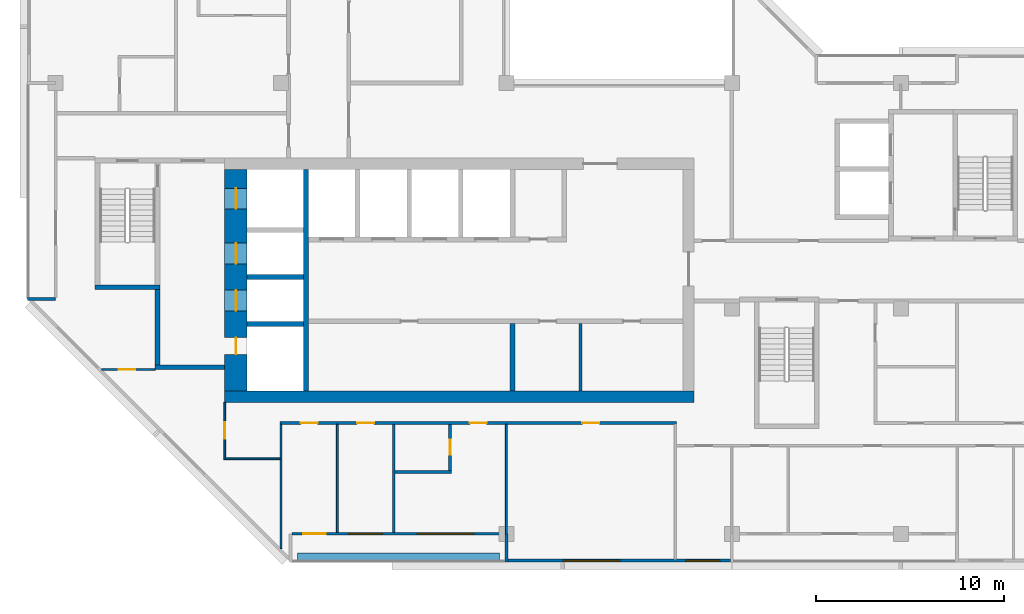
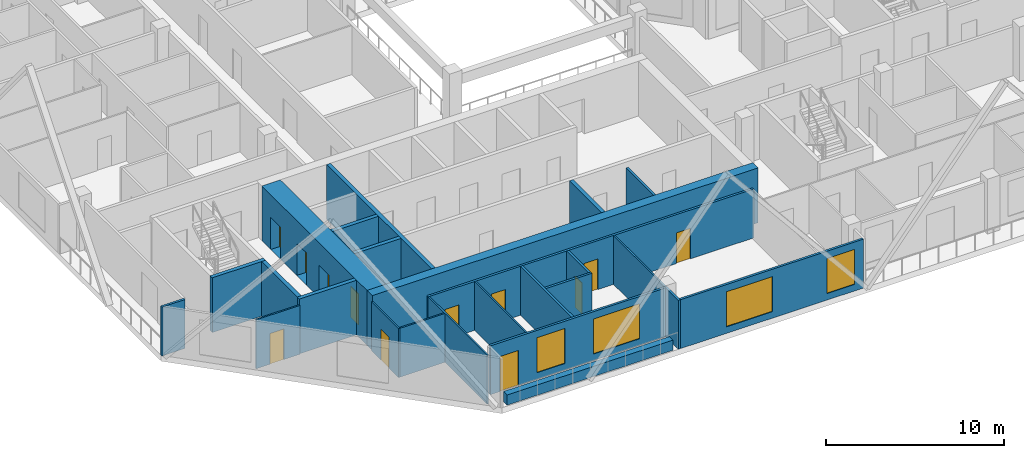
# One storey, part 4 of 13: 25 walls, 12 doors, 4 windows, 16 openings.
"""IFC4 building model written with IfcOpenShell, lengths in metres."""

from ifc_helpers import new_model, si_unit, direction, frame, frame_2d, origin, place, context, subcontext, project, spatial, rectangle, extrude, material, layer, layer_set, type_object, element, fill, save


model = new_model("IFC4")

# Units and contexts
model_context = context("Model", 3, precision=1e-05, world=origin(), true_north=direction((0.0, 1.0)))
body_context = subcontext(model_context, "Body", "Model", "MODEL_VIEW")
ifc_project = project(units=[si_unit("LENGTHUNIT", "METRE"), si_unit("AREAUNIT", "SQUARE_METRE"), si_unit("VOLUMEUNIT", "CUBIC_METRE"), si_unit("PLANEANGLEUNIT", "RADIAN"), si_unit("MASSUNIT", "GRAM", prefix="KILO")], contexts=[model_context])

# Site, building, storey
site_placement = place(None, origin())
site = spatial("IfcSite", under=ifc_project, at=site_placement, CompositionType="ELEMENT")
building_placement = place(site_placement, origin())
building = spatial("IfcBuilding", under=site, at=building_placement, Name="Chenar Terraces", CompositionType="ELEMENT")
storey_placement = place(building_placement, frame((0.0, 0.0, 310.89990234375)))
storey = spatial("IfcBuildingStorey", under=building, at=storey_placement, Name="L73", CompositionType="ELEMENT", Elevation=310.89990234375)

# Wall
ifc_material_1 = material(Name="Gypsum board on steel studs", Category="steel")
ifc_layer_1 = layer(ifc_material_1, 0.14990234375)
ifc_layer_set_1 = layer_set([ifc_layer_1], Name="Gypsum board on steel studs")
wall_type_1 = type_object("IfcWallType", Name="Core partition 150 gypsum board", PredefinedType="PARTITIONING", material=ifc_layer_set_1)
wall_1_placement = place(storey_placement, frame((27.949951171875, 7.60009765625, 0.0), z_axis=(0.0, 0.0, 1.0), x_axis=(0.0, 1.0, 0.0)))
element("IfcWall", 1, at=wall_1_placement, inside=storey, type_object=wall_type_1, Name="Core partition CP1 freed bay wall", PredefinedType="PARTITIONING", context=body_context, shape_type="SweptSolid", body=[
    extrude(rectangle(XDim=3.599853515625, YDim=0.14990234375, at=frame_2d((1.7998046875, 0.0))), origin(), (0.0, 0.0, 1.0), 3.35009765625),
])

# Wall, openings, doors
ifc_material_2 = material(Name="Concrete C50/60", Category="concrete")
ifc_layer_2 = layer(ifc_material_2, 1.199951171875)
ifc_layer_set_2 = layer_set([ifc_layer_2], Name="Concrete C50/60")
wall_type_2 = type_object("IfcWallType", Name="Core wall 1200 Concrete C50/60", PredefinedType="SHEAR", material=ifc_layer_set_2)
wall_2_placement = place(storey_placement, frame((9.60009765625, 7.60009765625, 0.0), z_axis=(0.0, 0.0, 1.0), x_axis=(0.0, 1.0, 0.0)))
wall_2 = element("IfcWall", 2, at=wall_2_placement, inside=storey, type_object=wall_type_2, Name="Core wall W L73", PredefinedType="SHEAR", context=body_context, shape_type="SweptSolid", body=[
    extrude(rectangle(XDim=11.7998046875, YDim=1.199951171875, at=frame_2d((5.89990234375, 0.0))), origin(), (0.0, 0.0, 1.0), 3.75),
])
opening_1_placement = place(wall_2_placement, frame((4.27490234375, 0.0, 0.0)))
opening_1 = element("IfcOpeningElement", 3, at=opening_1_placement, cuts=wall_2, Name="Opening DL73-LD5", PredefinedType="OPENING", context=body_context, shape_type="SweptSolid", body=[
    extrude(rectangle(XDim=1.10009765625, YDim=2.199951171875, at=frame_2d((0.550048828125, 1.10009765625))), frame((0.0, 0.60986328125, 0.0), z_axis=(0.0, -1.0, 0.0), x_axis=(1.0, 0.0, 0.0)), (0.0, 0.0, 1.0), 1.219970703125),
])
opening_2_placement = place(wall_2_placement, frame((6.77490234375, 0.0, 0.0)))
opening_2 = element("IfcOpeningElement", 4, at=opening_2_placement, cuts=wall_2, Name="Opening DL73-LD6", PredefinedType="OPENING", context=body_context, shape_type="SweptSolid", body=[
    extrude(rectangle(XDim=1.10009765625, YDim=2.199951171875, at=frame_2d((0.550048828125, 1.10009765625))), frame((0.0, 0.60986328125, 0.0), z_axis=(0.0, -1.0, 0.0), x_axis=(1.0, 0.0, 0.0)), (0.0, 0.0, 1.0), 1.219970703125),
])
opening_3_placement = place(wall_2_placement, frame((9.699951171875, 0.0, 0.0)))
opening_3 = element("IfcOpeningElement", 5, at=opening_3_placement, cuts=wall_2, Name="Opening DL73-LD7", PredefinedType="OPENING", context=body_context, shape_type="SweptSolid", body=[
    extrude(rectangle(XDim=1.10009765625, YDim=2.199951171875, at=frame_2d((0.550048828125, 1.10009765625))), frame((0.0, 0.60986328125, 0.0), z_axis=(0.0, -1.0, 0.0), x_axis=(1.0, 0.0, 0.0)), (0.0, 0.0, 1.0), 1.219970703125),
])
opening_4_placement = place(wall_2_placement, frame((1.949951171875, 0.0, 0.0)))
opening_4 = element("IfcOpeningElement", 6, at=opening_4_placement, cuts=wall_2, Name="Opening DL73-C4", PredefinedType="OPENING", context=body_context, shape_type="SweptSolid", body=[
    extrude(rectangle(XDim=0.89990234375, YDim=2.10009765625, at=frame_2d((0.449951171875, 1.050048828125))), frame((0.0, 0.60986328125, 0.0), z_axis=(0.0, -1.0, 0.0), x_axis=(1.0, 0.0, 0.0)), (0.0, 0.0, 1.0), 1.219970703125),
])
ifc_material_3 = material(Name="Stainless steel", Category="steel")
door_type_1 = type_object("IfcDoorType", Name="Lift landing door 1100 x 2200 sliding", OperationType="DOUBLE_DOOR_SLIDING", PredefinedType="DOOR", material=ifc_material_3)
door_1_placement = place(opening_1_placement, origin())
door_1 = element("IfcDoor", 7, at=door_1_placement, inside=storey, type_object=door_type_1, Name="Landing door S1", OperationType="DOUBLE_DOOR_SLIDING", OverallHeight=2.199951171875, OverallWidth=1.10009765625, PredefinedType="DOOR", context=body_context, shape_type="SweptSolid", body=[
    extrude(rectangle(XDim=1.10009765625, YDim=2.199951171875, at=frame_2d((0.550048828125, 1.10009765625))), frame((0.0, 0.02490234375, 0.0), z_axis=(0.0, -1.0, 0.0), x_axis=(1.0, 0.0, 0.0)), (0.0, 0.0, 1.0), 0.050048828125),
])
fill(opening_1, door_1)
door_2_placement = place(opening_2_placement, origin())
door_2 = element("IfcDoor", 8, at=door_2_placement, inside=storey, type_object=door_type_1, Name="Landing door F1", OperationType="DOUBLE_DOOR_SLIDING", OverallHeight=2.199951171875, OverallWidth=1.10009765625, PredefinedType="DOOR", context=body_context, shape_type="SweptSolid", body=[
    extrude(rectangle(XDim=1.10009765625, YDim=2.199951171875, at=frame_2d((0.550048828125, 1.10009765625))), frame((0.0, 0.02490234375, 0.0), z_axis=(0.0, -1.0, 0.0), x_axis=(1.0, 0.0, 0.0)), (0.0, 0.0, 1.0), 0.050048828125),
])
fill(opening_2, door_2)
door_3_placement = place(opening_3_placement, origin())
door_3 = element("IfcDoor", 9, at=door_3_placement, inside=storey, type_object=door_type_1, Name="Landing door F2", OperationType="DOUBLE_DOOR_SLIDING", OverallHeight=2.199951171875, OverallWidth=1.10009765625, PredefinedType="DOOR", context=body_context, shape_type="SweptSolid", body=[
    extrude(rectangle(XDim=1.10009765625, YDim=2.199951171875, at=frame_2d((0.550048828125, 1.10009765625))), frame((0.0, 0.02490234375, 0.0), z_axis=(0.0, -1.0, 0.0), x_axis=(1.0, 0.0, 0.0)), (0.0, 0.0, 1.0), 0.050048828125),
])
fill(opening_3, door_3)
ifc_material_4 = material(Name="Steel-framed fire-resisting door leaf", Category="steel")
door_type_2 = type_object("IfcDoorType", Name="Riser fire door FD60 900 x 2100", OperationType="SINGLE_SWING_LEFT", PredefinedType="DOOR", material=ifc_material_4)
door_4_placement = place(opening_4_placement, frame((0.89990234375, 0.0, 0.0), z_axis=(0.0, 0.0, 1.0), x_axis=(-1.0, 0.0, 0.0)))
door_4 = element("IfcDoor", 10, at=door_4_placement, inside=storey, type_object=door_type_2, Name="Riser door DL73-C4", OperationType="SINGLE_SWING_LEFT", OverallHeight=2.10009765625, OverallWidth=0.89990234375, PredefinedType="DOOR", context=body_context, shape_type="SweptSolid", body=[
    extrude(rectangle(XDim=0.89990234375, YDim=2.10009765625, at=frame_2d((0.449951171875, 1.050048828125))), frame((0.0, 0.02490234375, 0.0), z_axis=(0.0, -1.0, 0.0), x_axis=(1.0, 0.0, 0.0)), (0.0, 0.0, 1.0), 0.050048828125),
])
fill(opening_4, door_4)

# Walls
ifc_material_5 = material(Name="Concrete C50/60", Category="concrete")
ifc_layer_3 = layer(ifc_material_5, 0.25)
ifc_layer_set_3 = layer_set([ifc_layer_3], Name="Concrete C50/60")
wall_type_3 = type_object("IfcWallType", Name="Core wall 250 Concrete C50/60", PredefinedType="SHEAR", material=ifc_layer_set_3)
wall_3_placement = place(storey_placement, frame((13.324951171875, 7.60009765625, 0.0), z_axis=(0.0, 0.0, 1.0), x_axis=(0.0, 1.0, 0.0)))
element("IfcWall", 11, at=wall_3_placement, inside=storey, type_object=wall_type_3, Name="Core wall WI L73", PredefinedType="SHEAR", context=body_context, shape_type="SweptSolid", body=[
    extrude(rectangle(XDim=11.7998046875, YDim=0.25, at=frame_2d((5.89990234375, 0.0))), origin(), (0.0, 0.0, 1.0), 3.75),
])
for number, where, z_axis, x_axis, name in (
    (12, (10.199951171875, 11.175048828125, 0.0), (0.0, 0.0, 1.0), (1.0, 0.0, 0.0), "Core wall HW0 L73"),
    (13, (10.199951171875, 13.675048828125, 0.0), (0.0, 0.0, 1.0), (1.0, 0.0, 0.0), "Core wall HW1 L73"),
):
    element("IfcWall", number, at=place(storey_placement, frame(where, z_axis=z_axis, x_axis=x_axis)), inside=storey, type_object=wall_type_3, Name=name, PredefinedType="SHEAR", context=body_context, shape_type="SweptSolid", body=[
        extrude(rectangle(XDim=3.0, YDim=0.25, at=frame_2d((1.5, 0.0))), origin(), (0.0, 0.0, 1.0), 3.75),
    ])
wall_4_placement = place(storey_placement, frame((24.324951171875, 7.60009765625, 0.0), z_axis=(0.0, 0.0, 1.0), x_axis=(0.0, 1.0, 0.0)))
element("IfcWall", 14, at=wall_4_placement, inside=storey, type_object=wall_type_3, Name="Core wall SS3 L73", PredefinedType="SHEAR", context=body_context, shape_type="SweptSolid", body=[
    extrude(rectangle(XDim=3.599853515625, YDim=0.25, at=frame_2d((1.7998046875, 0.0))), origin(), (0.0, 0.0, 1.0), 3.75),
])
wall_5_placement = place(storey_placement, frame((2.10009765625, 13.125, 0.0), z_axis=(0.0, 0.0, 1.0), x_axis=(1.0, 0.0, 0.0)))
element("IfcWall", 15, at=wall_5_placement, inside=storey, type_object=wall_type_3, Name="Core wall ST1_S L73", PredefinedType="SHEAR", context=body_context, shape_type="SweptSolid", body=[
    extrude(rectangle(XDim=3.449951171875, YDim=0.25, at=frame_2d((1.72509765625, 0.0))), origin(), (0.0, 0.0, 1.0), 3.75),
])
wall_6_placement = place(storey_placement, frame((5.300048828125, 8.875, 0.0), z_axis=(0.0, 0.0, 1.0), x_axis=(1.0, 0.0, 0.0)))
element("IfcWall", 16, at=wall_6_placement, inside=storey, type_object=wall_type_3, Name="Core wall FFL_S L73", PredefinedType="SHEAR", context=body_context, shape_type="SweptSolid", body=[
    extrude(rectangle(XDim=3.699951171875, YDim=0.25, at=frame_2d((1.85009765625, 0.0))), origin(), (0.0, 0.0, 1.0), 3.75),
])
wall_7_placement = place(storey_placement, frame((5.425048828125, 9.0, 0.0), z_axis=(0.0, 0.0, 1.0), x_axis=(0.0, 1.0, 0.0)))
element("IfcWall", 17, at=wall_7_placement, inside=storey, type_object=wall_type_3, Name="Core wall FFL_W L73", PredefinedType="SHEAR", context=body_context, shape_type="SweptSolid", body=[
    extrude(rectangle(XDim=4.0, YDim=0.25, at=frame_2d((2.0, 0.0))), origin(), (0.0, 0.0, 1.0), 3.75),
])
ifc_material_6 = material(Name="Concrete C50/60", Category="concrete")
ifc_layer_4 = layer(ifc_material_6, 0.60009765625)
ifc_layer_set_4 = layer_set([ifc_layer_4], Name="Concrete C50/60")
wall_type_4 = type_object("IfcWallType", Name="Core wall 600 Concrete C50/60", PredefinedType="SHEAR", material=ifc_layer_set_4)
wall_8_placement = place(storey_placement, frame((9.0, 7.300048828125, 0.0), z_axis=(0.0, 0.0, 1.0), x_axis=(1.0, 0.0, 0.0)))
element("IfcWall", 18, at=wall_8_placement, inside=storey, type_object=wall_type_4, Name="Core wall S L73", PredefinedType="SHEAR", context=body_context, shape_type="SweptSolid", body=[
    extrude(rectangle(XDim=25.0, YDim=0.60009765625, at=frame_2d((12.5, 0.0))), origin(), (0.0, 0.0, 1.0), 3.75),
])

# Wall, openings, windows
ifc_material_7 = material(Name="Aluminium framed glazing", Category="aluminium")
ifc_layer_5 = layer(ifc_material_7, 0.14990234375)
ifc_layer_set_5 = layer_set([ifc_layer_5], Name="Aluminium framed glazing")
wall_type_5 = type_object("IfcWallType", Name="Glazed flush facade wall 150", PredefinedType="SOLIDWALL", material=ifc_layer_set_5)
wall_9_placement = place(storey_placement, frame((24.074951171875, -1.425048828125, 0.0), z_axis=(0.0, 0.0, 1.0), x_axis=(1.0, 0.0, 0.0)))
wall_9 = element("IfcWall", 19, at=wall_9_placement, inside=storey, type_object=wall_type_5, Name="Glazed flush facade wall", PredefinedType="SOLIDWALL", context=body_context, shape_type="SweptSolid", body=[
    extrude(rectangle(XDim=11.85009765625, YDim=0.14990234375, at=frame_2d((5.925048828125, 0.0))), origin(), (0.0, 0.0, 1.0), 3.35009765625),
])
opening_5_placement = place(wall_9_placement, frame((2.96240234375, 0.0, 0.449951171875)))
opening_5 = element("IfcOpeningElement", 20, at=opening_5_placement, cuts=wall_9, Name="Opening W300x240", PredefinedType="OPENING", context=body_context, shape_type="SweptSolid", body=[
    extrude(rectangle(XDim=3.0, YDim=2.39990234375, at=frame_2d((1.5, 1.199951171875))), frame((0.0, 0.0849609375, 0.0), z_axis=(0.0, -1.0, 0.0), x_axis=(1.0, 0.0, 0.0)), (0.0, 0.0, 1.0), 0.169921875),
])
opening_6_placement = place(wall_9_placement, frame((9.487548828125, 0.0, 0.449951171875)))
opening_6 = element("IfcOpeningElement", 21, at=opening_6_placement, cuts=wall_9, Name="Opening W180x240", PredefinedType="OPENING", context=body_context, shape_type="SweptSolid", body=[
    extrude(rectangle(XDim=1.800048828125, YDim=2.39990234375, at=frame_2d((0.89990234375, 1.199951171875))), frame((0.0, 0.0849609375, 0.0), z_axis=(0.0, -1.0, 0.0), x_axis=(1.0, 0.0, 0.0)), (0.0, 0.0, 1.0), 0.169921875),
])
ifc_material_8 = material(Name="Low emissivity double glazing, aluminium frame", Category="aluminium")
window_type_1 = type_object("IfcWindowType", Name="Fixed light 1800 x 2400", PartitioningType="SINGLE_PANEL", PredefinedType="WINDOW", material=ifc_material_8)
window_1_placement = place(opening_6_placement, origin())
window_1 = element("IfcWindow", 22, at=window_1_placement, inside=storey, type_object=window_type_1, Name="Window", OverallHeight=2.39990234375, OverallWidth=1.800048828125, PartitioningType="SINGLE_PANEL", PredefinedType="WINDOW", context=body_context, shape_type="SweptSolid", body=[
    extrude(rectangle(XDim=1.800048828125, YDim=2.39990234375, at=frame_2d((0.89990234375, 1.199951171875))), frame((0.0, 0.030029296875, 0.0), z_axis=(0.0, -1.0, 0.0), x_axis=(1.0, 0.0, 0.0)), (0.0, 0.0, 1.0), 0.06005859375),
])
fill(opening_6, window_1)
ifc_material_9 = material(Name="Low emissivity double glazing, aluminium frame", Category="aluminium")
window_type_2 = type_object("IfcWindowType", Name="Fixed light 3000 x 2400", PartitioningType="SINGLE_PANEL", PredefinedType="WINDOW", material=ifc_material_9)
window_2_placement = place(opening_5_placement, origin())
window_2 = element("IfcWindow", 23, at=window_2_placement, inside=storey, type_object=window_type_2, Name="Window", OverallHeight=2.39990234375, OverallWidth=3.0, PartitioningType="SINGLE_PANEL", PredefinedType="WINDOW", context=body_context, shape_type="SweptSolid", body=[
    extrude(rectangle(XDim=3.0, YDim=2.39990234375, at=frame_2d((1.5, 1.199951171875))), frame((0.0, 0.030029296875, 0.0), z_axis=(0.0, -1.0, 0.0), x_axis=(1.0, 0.0, 0.0)), (0.0, 0.0, 1.0), 0.06005859375),
])
fill(opening_5, window_2)

# Wall, openings, windows, door
ifc_material_10 = material(Name="Aluminium framed glazing", Category="aluminium")
ifc_layer_6 = layer(ifc_material_10, 0.14990234375)
ifc_layer_set_6 = layer_set([ifc_layer_6], Name="Aluminium framed glazing")
wall_type_6 = type_object("IfcWallType", Name="Glazed loggia back wall 150", PredefinedType="SOLIDWALL", material=ifc_layer_set_6)
wall_10_placement = place(storey_placement, frame((12.574951171875, 0.0, 0.0), z_axis=(0.0, 0.0, 1.0), x_axis=(1.0, 0.0, 0.0)))
wall_10 = element("IfcWall", 24, at=wall_10_placement, inside=storey, type_object=wall_type_6, Name="Glazed loggia back wall", PredefinedType="SOLIDWALL", context=body_context, shape_type="SweptSolid", body=[
    extrude(rectangle(XDim=11.35009765625, YDim=0.14990234375, at=frame_2d((5.675048828125, 0.0))), origin(), (0.0, 0.0, 1.0), 3.35009765625),
])
opening_7_placement = place(wall_10_placement, frame((0.612548828125, 0.0, 0.0)))
opening_7 = element("IfcOpeningElement", 25, at=opening_7_placement, cuts=wall_10, Name="Opening DL73-G4", PredefinedType="OPENING", context=body_context, shape_type="SweptSolid", body=[
    extrude(rectangle(XDim=1.199951171875, YDim=2.39990234375, at=frame_2d((0.60009765625, 1.199951171875))), frame((0.0, 0.0849609375, 0.0), z_axis=(0.0, -1.0, 0.0), x_axis=(1.0, 0.0, 0.0)), (0.0, 0.0, 1.0), 0.169921875),
])
opening_8_placement = place(wall_10_placement, frame((3.02490234375, 0.0, 0.449951171875)))
opening_8 = element("IfcOpeningElement", 26, at=opening_8_placement, cuts=wall_10, Name="Opening W180x240", PredefinedType="OPENING", context=body_context, shape_type="SweptSolid", body=[
    extrude(rectangle(XDim=1.800048828125, YDim=2.39990234375, at=frame_2d((0.89990234375, 1.199951171875))), frame((0.0, 0.0849609375, 0.0), z_axis=(0.0, -1.0, 0.0), x_axis=(1.0, 0.0, 0.0)), (0.0, 0.0, 1.0), 0.169921875),
])
opening_9_placement = place(wall_10_placement, frame((6.675048828125, 0.0, 0.449951171875)))
opening_9 = element("IfcOpeningElement", 27, at=opening_9_placement, cuts=wall_10, Name="Opening W300x240", PredefinedType="OPENING", context=body_context, shape_type="SweptSolid", body=[
    extrude(rectangle(XDim=3.0, YDim=2.39990234375, at=frame_2d((1.5, 1.199951171875))), frame((0.0, 0.0849609375, 0.0), z_axis=(0.0, -1.0, 0.0), x_axis=(1.0, 0.0, 0.0)), (0.0, 0.0, 1.0), 0.169921875),
])
window_3_placement = place(opening_8_placement, origin())
window_3 = element("IfcWindow", 28, at=window_3_placement, inside=storey, type_object=window_type_1, Name="Window", OverallHeight=2.39990234375, OverallWidth=1.800048828125, PartitioningType="SINGLE_PANEL", PredefinedType="WINDOW", context=body_context, shape_type="SweptSolid", body=[
    extrude(rectangle(XDim=1.800048828125, YDim=2.39990234375, at=frame_2d((0.89990234375, 1.199951171875))), frame((0.0, 0.030029296875, 0.0), z_axis=(0.0, -1.0, 0.0), x_axis=(1.0, 0.0, 0.0)), (0.0, 0.0, 1.0), 0.06005859375),
])
fill(opening_8, window_3)
window_4_placement = place(opening_9_placement, origin())
window_4 = element("IfcWindow", 29, at=window_4_placement, inside=storey, type_object=window_type_2, Name="Window", OverallHeight=2.39990234375, OverallWidth=3.0, PartitioningType="SINGLE_PANEL", PredefinedType="WINDOW", context=body_context, shape_type="SweptSolid", body=[
    extrude(rectangle(XDim=3.0, YDim=2.39990234375, at=frame_2d((1.5, 1.199951171875))), frame((0.0, 0.030029296875, 0.0), z_axis=(0.0, -1.0, 0.0), x_axis=(1.0, 0.0, 0.0)), (0.0, 0.0, 1.0), 0.06005859375),
])
fill(opening_9, window_4)
ifc_material_11 = material(Name="Low emissivity double glazing, aluminium frame", Category="aluminium")
door_type_3 = type_object("IfcDoorType", Name="Loggia glazed double door 1200 x 2400", OperationType="DOUBLE_DOOR_SINGLE_SWING", PredefinedType="DOOR", material=ifc_material_11)
door_5_placement = place(opening_7_placement, frame((1.199951171875, 0.0, 0.0), z_axis=(0.0, 0.0, 1.0), x_axis=(-1.0, 0.0, 0.0)))
door_5 = element("IfcDoor", 30, at=door_5_placement, inside=storey, type_object=door_type_3, Name="Loggia glazed door", OperationType="DOUBLE_DOOR_SINGLE_SWING", OverallHeight=2.39990234375, OverallWidth=1.199951171875, PredefinedType="DOOR", context=body_context, shape_type="SweptSolid", body=[
    extrude(rectangle(XDim=1.199951171875, YDim=2.39990234375, at=frame_2d((0.60009765625, 1.199951171875))), frame((0.0, 0.02490234375, 0.0), z_axis=(0.0, -1.0, 0.0), x_axis=(1.0, 0.0, 0.0)), (0.0, 0.0, 1.0), 0.050048828125),
])
fill(opening_7, door_5)

# Wall, opening, door
ifc_material_12 = material(Name="Gypsum board on steel studs", Category="steel")
ifc_layer_7 = layer(ifc_material_12, 0.10009765625)
ifc_layer_set_7 = layer_set([ifc_layer_7], Name="Gypsum board on steel studs")
wall_type_7 = type_object("IfcWallType", Name="Gypsum partition 100", PredefinedType="PARTITIONING", material=ifc_layer_set_7)
wall_11_placement = place(storey_placement, frame((2.4609375, 8.75, 0.0), z_axis=(0.0, 0.0, 1.0), x_axis=(1.0, 0.0, 0.0)))
wall_11 = element("IfcWall", 31, at=wall_11_placement, inside=storey, type_object=wall_type_7, Name="Partition L73-010", PredefinedType="PARTITIONING", context=body_context, shape_type="SweptSolid", body=[
    extrude(rectangle(XDim=2.839111328125, YDim=0.10009765625, at=frame_2d((1.41943359375, 0.0))), origin(), (0.0, 0.0, 1.0), 3.35009765625),
])
opening_10_placement = place(wall_11_placement, frame((0.888916015625, 0.0, 0.0)))
opening_10 = element("IfcOpeningElement", 32, at=opening_10_placement, cuts=wall_11, Name="Opening DL73-42", PredefinedType="OPENING", context=body_context, shape_type="SweptSolid", body=[
    extrude(rectangle(XDim=0.89990234375, YDim=2.10009765625, at=frame_2d((0.449951171875, 1.050048828125))), frame((0.0, 0.06005859375, 0.0), z_axis=(0.0, -1.0, 0.0), x_axis=(1.0, 0.0, 0.0)), (0.0, 0.0, 1.0), 0.1201171875),
])
ifc_material_13 = material(Name="Veneered timber door leaf", Category="wood")
door_type_4 = type_object("IfcDoorType", Name="Door 900 x 2100", OperationType="SINGLE_SWING_LEFT", PredefinedType="DOOR", material=ifc_material_13)
door_6_placement = place(opening_10_placement, frame((0.89990234375, 0.0, 0.0), z_axis=(0.0, 0.0, 1.0), x_axis=(-1.0, 0.0, 0.0)))
door_6 = element("IfcDoor", 33, at=door_6_placement, inside=storey, type_object=door_type_4, Name="Door DL73-42", OperationType="SINGLE_SWING_RIGHT", OverallHeight=2.10009765625, OverallWidth=0.89990234375, PredefinedType="DOOR", context=body_context, shape_type="SweptSolid", body=[
    extrude(rectangle(XDim=0.89990234375, YDim=2.10009765625, at=frame_2d((0.449951171875, 1.050048828125))), frame((0.0, 0.02490234375, 0.0), z_axis=(0.0, -1.0, 0.0), x_axis=(1.0, 0.0, 0.0)), (0.0, 0.0, 1.0), 0.050048828125),
])
fill(opening_10, door_6)

wall_12_placement = place(storey_placement, frame((9.0, 3.949951171875, 0.0), z_axis=(0.0, 0.0, 1.0), x_axis=(0.0, 1.0, 0.0)))
wall_12 = element("IfcWall", 34, at=wall_12_placement, inside=storey, type_object=wall_type_7, Name="Partition L73-030", PredefinedType="PARTITIONING", context=body_context, shape_type="SweptSolid", body=[
    extrude(rectangle(XDim=3.050048828125, YDim=0.10009765625, at=frame_2d((1.52490234375, 0.0))), origin(), (0.0, 0.0, 1.0), 3.35009765625),
])
opening_11_placement = place(wall_12_placement, frame((1.10009765625, 0.0, 0.0)))
opening_11 = element("IfcOpeningElement", 35, at=opening_11_placement, cuts=wall_12, Name="Opening DL73-41", PredefinedType="OPENING", context=body_context, shape_type="SweptSolid", body=[
    extrude(rectangle(XDim=0.89990234375, YDim=2.10009765625, at=frame_2d((0.449951171875, 1.050048828125))), frame((0.0, 0.06005859375, 0.0), z_axis=(0.0, -1.0, 0.0), x_axis=(1.0, 0.0, 0.0)), (0.0, 0.0, 1.0), 0.1201171875),
])
door_7_placement = place(opening_11_placement, origin())
door_7 = element("IfcDoor", 36, at=door_7_placement, inside=storey, type_object=door_type_4, Name="Door DL73-41", OperationType="SINGLE_SWING_LEFT", OverallHeight=2.10009765625, OverallWidth=0.89990234375, PredefinedType="DOOR", context=body_context, shape_type="SweptSolid", body=[
    extrude(rectangle(XDim=0.89990234375, YDim=2.10009765625, at=frame_2d((0.449951171875, 1.050048828125))), frame((0.0, 0.02490234375, 0.0), z_axis=(0.0, -1.0, 0.0), x_axis=(1.0, 0.0, 0.0)), (0.0, 0.0, 1.0), 0.050048828125),
])
fill(opening_11, door_7)

# Walls
wall_13_placement = place(storey_placement, frame((9.050048828125, 4.0, 0.0), z_axis=(0.0, 0.0, 1.0), x_axis=(1.0, 0.0, 0.0)))
element("IfcWall", 37, at=wall_13_placement, inside=storey, type_object=wall_type_7, Name="Partition L73-031", PredefinedType="PARTITIONING", context=body_context, shape_type="SweptSolid", body=[
    extrude(rectangle(XDim=2.89990234375, YDim=0.10009765625, at=frame_2d((1.449951171875, 0.0))), origin(), (0.0, 0.0, 1.0), 3.35009765625),
])
wall_14_placement = place(storey_placement, frame((12.0, -0.787841796875, 0.0), z_axis=(0.0, 0.0, 1.0), x_axis=(0.0, 1.0, 0.0)))
element("IfcWall", 38, at=wall_14_placement, inside=storey, type_object=wall_type_7, Name="Partition L73-033", PredefinedType="PARTITIONING", context=body_context, shape_type="SweptSolid", body=[
    extrude(rectangle(XDim=6.61279296875, YDim=0.10009765625, at=frame_2d((3.306396484375, 0.0))), origin(), (0.0, 0.0, 1.0), 3.35009765625),
])
wall_15_placement = place(storey_placement, frame((15.0, 0.073974609375, 0.0), z_axis=(0.0, 0.0, 1.0), x_axis=(0.0, 1.0, 0.0)))
element("IfcWall", 39, at=wall_15_placement, inside=storey, type_object=wall_type_7, Name="Partition L73-035", PredefinedType="PARTITIONING", context=body_context, shape_type="SweptSolid", body=[
    extrude(rectangle(XDim=5.7509765625, YDim=0.10009765625, at=frame_2d((2.87548828125, 0.0))), origin(), (0.0, 0.0, 1.0), 3.35009765625),
])
wall_16_placement = place(storey_placement, frame((24.0, 0.0, 0.0), z_axis=(0.0, 0.0, 1.0), x_axis=(0.0, 1.0, 0.0)))
element("IfcWall", 40, at=wall_16_placement, inside=storey, type_object=wall_type_7, Name="Partition L73-052", PredefinedType="PARTITIONING", context=body_context, shape_type="SweptSolid", body=[
    extrude(rectangle(XDim=5.824951171875, YDim=0.10009765625, at=frame_2d((2.91259765625, 0.0))), origin(), (0.0, 0.0, 1.0), 3.35009765625),
])
ifc_material_14 = material(Name="Terracotta cladding on insulated backing", Category="masonry")
ifc_layer_8 = layer(ifc_material_14, 0.14990234375)
ifc_layer_set_8 = layer_set([ifc_layer_8], Name="Terracotta cladding on insulated backing")
wall_type_8 = type_object("IfcWallType", Name="Loggia return wall 150", PredefinedType="SOLIDWALL", material=ifc_layer_set_8)
for number, where, z_axis, x_axis, name in (
    (41, (-1.5, 12.5, 0.0), (0.0, 0.0, 1.0), (1.0, 0.0, 0.0), "Loggia return wall"),
    (42, (24.0, -1.5, 0.0), (0.0, 0.0, 1.0), (0.0, 1.0, 0.0), "Loggia return wall"),
):
    element("IfcWall", number, at=place(storey_placement, frame(where, z_axis=z_axis, x_axis=x_axis)), inside=storey, type_object=wall_type_8, Name=name, PredefinedType="SOLIDWALL", context=body_context, shape_type="SweptSolid", body=[
        extrude(rectangle(XDim=1.5, YDim=0.14990234375, at=frame_2d((0.75, 0.0))), origin(), (0.0, 0.0, 1.0), 3.35009765625),
    ])
ifc_material_15 = material(Name="GRP planter trough")
ifc_layer_9 = layer(ifc_material_15, 0.39990234375)
ifc_layer_set_9 = layer_set([ifc_layer_9], Name="GRP planter trough")
wall_type_9 = type_object("IfcWallType", Name="Vertical greenery planter 400", PredefinedType="SOLIDWALL", material=ifc_layer_set_9)
wall_17_placement = place(storey_placement, frame((12.875, -1.22900390625, 0.0), z_axis=(0.0, 0.0, 1.0), x_axis=(1.0, 0.0, 0.0)))
element("IfcWall", 43, at=wall_17_placement, inside=storey, type_object=wall_type_9, Name="Vertical greenery planter", PredefinedType="SOLIDWALL", context=body_context, shape_type="SweptSolid", body=[
    extrude(rectangle(XDim=10.75, YDim=0.39990234375, at=frame_2d((5.375, 0.0))), origin(), (0.0, 0.0, 1.0), 0.7001953125),
])

# Wall, openings, doors
ifc_material_16 = material(Name="Moisture-resistant gypsum board on steel studs", Category="steel")
ifc_layer_10 = layer(ifc_material_16, 0.14990234375)
ifc_layer_set_10 = layer_set([ifc_layer_10], Name="Moisture-resistant gypsum board on steel studs")
wall_type_10 = type_object("IfcWallType", Name="Wet-room partition 150", PredefinedType="PARTITIONING", material=ifc_layer_set_10)
wall_18_placement = place(storey_placement, frame((11.949951171875, 5.89990234375, 0.0), z_axis=(0.0, 0.0, 1.0), x_axis=(1.0, 0.0, 0.0)))
wall_18 = element("IfcWall", 44, at=wall_18_placement, inside=storey, type_object=wall_type_10, Name="Partition L73-032", PredefinedType="PARTITIONING", context=body_context, shape_type="SweptSolid", body=[
    extrude(rectangle(XDim=21.10009765625, YDim=0.14990234375, at=frame_2d((10.550048828125, 0.0))), origin(), (0.0, 0.0, 1.0), 3.35009765625),
])
opening_12_placement = place(wall_18_placement, frame((1.10009765625, 0.0, 0.0)))
opening_12 = element("IfcOpeningElement", 45, at=opening_12_placement, cuts=wall_18, Name="Opening DL73-35", PredefinedType="OPENING", context=body_context, shape_type="SweptSolid", body=[
    extrude(rectangle(XDim=0.89990234375, YDim=2.10009765625, at=frame_2d((0.449951171875, 1.050048828125))), frame((0.0, 0.0849609375, 0.0), z_axis=(0.0, -1.0, 0.0), x_axis=(1.0, 0.0, 0.0)), (0.0, 0.0, 1.0), 0.169921875),
])
opening_13_placement = place(wall_18_placement, frame((4.10009765625, 0.0, 0.0)))
opening_13 = element("IfcOpeningElement", 46, at=opening_13_placement, cuts=wall_18, Name="Opening DL73-36", PredefinedType="OPENING", context=body_context, shape_type="SweptSolid", body=[
    extrude(rectangle(XDim=0.89990234375, YDim=2.10009765625, at=frame_2d((0.449951171875, 1.050048828125))), frame((0.0, 0.0849609375, 0.0), z_axis=(0.0, -1.0, 0.0), x_axis=(1.0, 0.0, 0.0)), (0.0, 0.0, 1.0), 0.169921875),
])
opening_14_placement = place(wall_18_placement, frame((10.10009765625, 0.0, 0.0)))
opening_14 = element("IfcOpeningElement", 47, at=opening_14_placement, cuts=wall_18, Name="Opening DL73-43", PredefinedType="OPENING", context=body_context, shape_type="SweptSolid", body=[
    extrude(rectangle(XDim=0.89990234375, YDim=2.10009765625, at=frame_2d((0.449951171875, 1.050048828125))), frame((0.0, 0.0849609375, 0.0), z_axis=(0.0, -1.0, 0.0), x_axis=(1.0, 0.0, 0.0)), (0.0, 0.0, 1.0), 0.169921875),
])
opening_15_placement = place(wall_18_placement, frame((16.10009765625, 0.0, 0.0)))
opening_15 = element("IfcOpeningElement", 48, at=opening_15_placement, cuts=wall_18, Name="Opening DL73-47", PredefinedType="OPENING", context=body_context, shape_type="SweptSolid", body=[
    extrude(rectangle(XDim=0.89990234375, YDim=2.10009765625, at=frame_2d((0.449951171875, 1.050048828125))), frame((0.0, 0.0849609375, 0.0), z_axis=(0.0, -1.0, 0.0), x_axis=(1.0, 0.0, 0.0)), (0.0, 0.0, 1.0), 0.169921875),
])
door_8_placement = place(opening_12_placement, frame((0.89990234375, 0.0, 0.0), z_axis=(0.0, 0.0, 1.0), x_axis=(-1.0, 0.0, 0.0)))
door_8 = element("IfcDoor", 49, at=door_8_placement, inside=storey, type_object=door_type_4, Name="Door DL73-35", OperationType="SINGLE_SWING_RIGHT", OverallHeight=2.10009765625, OverallWidth=0.89990234375, PredefinedType="DOOR", context=body_context, shape_type="SweptSolid", body=[
    extrude(rectangle(XDim=0.89990234375, YDim=2.10009765625, at=frame_2d((0.449951171875, 1.050048828125))), frame((0.0, 0.02490234375, 0.0), z_axis=(0.0, -1.0, 0.0), x_axis=(1.0, 0.0, 0.0)), (0.0, 0.0, 1.0), 0.050048828125),
])
fill(opening_12, door_8)
door_9_placement = place(opening_13_placement, frame((0.89990234375, 0.0, 0.0), z_axis=(0.0, 0.0, 1.0), x_axis=(-1.0, 0.0, 0.0)))
door_9 = element("IfcDoor", 50, at=door_9_placement, inside=storey, type_object=door_type_4, Name="Door DL73-36", OperationType="SINGLE_SWING_RIGHT", OverallHeight=2.10009765625, OverallWidth=0.89990234375, PredefinedType="DOOR", context=body_context, shape_type="SweptSolid", body=[
    extrude(rectangle(XDim=0.89990234375, YDim=2.10009765625, at=frame_2d((0.449951171875, 1.050048828125))), frame((0.0, 0.02490234375, 0.0), z_axis=(0.0, -1.0, 0.0), x_axis=(1.0, 0.0, 0.0)), (0.0, 0.0, 1.0), 0.050048828125),
])
fill(opening_13, door_9)
door_10_placement = place(opening_14_placement, frame((0.89990234375, 0.0, 0.0), z_axis=(0.0, 0.0, 1.0), x_axis=(-1.0, 0.0, 0.0)))
door_10 = element("IfcDoor", 51, at=door_10_placement, inside=storey, type_object=door_type_4, Name="Door DL73-43", OperationType="SINGLE_SWING_RIGHT", OverallHeight=2.10009765625, OverallWidth=0.89990234375, PredefinedType="DOOR", context=body_context, shape_type="SweptSolid", body=[
    extrude(rectangle(XDim=0.89990234375, YDim=2.10009765625, at=frame_2d((0.449951171875, 1.050048828125))), frame((0.0, 0.02490234375, 0.0), z_axis=(0.0, -1.0, 0.0), x_axis=(1.0, 0.0, 0.0)), (0.0, 0.0, 1.0), 0.050048828125),
])
fill(opening_14, door_10)
door_11_placement = place(opening_15_placement, frame((0.89990234375, 0.0, 0.0), z_axis=(0.0, 0.0, 1.0), x_axis=(-1.0, 0.0, 0.0)))
door_11 = element("IfcDoor", 52, at=door_11_placement, inside=storey, type_object=door_type_4, Name="Door DL73-47", OperationType="SINGLE_SWING_RIGHT", OverallHeight=2.10009765625, OverallWidth=0.89990234375, PredefinedType="DOOR", context=body_context, shape_type="SweptSolid", body=[
    extrude(rectangle(XDim=0.89990234375, YDim=2.10009765625, at=frame_2d((0.449951171875, 1.050048828125))), frame((0.0, 0.02490234375, 0.0), z_axis=(0.0, -1.0, 0.0), x_axis=(1.0, 0.0, 0.0)), (0.0, 0.0, 1.0), 0.050048828125),
])
fill(opening_15, door_11)

# Walls
wall_19_placement = place(storey_placement, frame((18.0, 0.073974609375, 0.0), z_axis=(0.0, 0.0, 1.0), x_axis=(0.0, 1.0, 0.0)))
element("IfcWall", 53, at=wall_19_placement, inside=storey, type_object=wall_type_10, Name="Partition L73-044", PredefinedType="PARTITIONING", context=body_context, shape_type="SweptSolid", body=[
    extrude(rectangle(XDim=5.7509765625, YDim=0.14990234375, at=frame_2d((2.87548828125, 0.0))), origin(), (0.0, 0.0, 1.0), 3.35009765625),
])
wall_20_placement = place(storey_placement, frame((18.074951171875, 3.300048828125, 0.0), z_axis=(0.0, 0.0, 1.0), x_axis=(1.0, 0.0, 0.0)))
element("IfcWall", 54, at=wall_20_placement, inside=storey, type_object=wall_type_10, Name="Partition L73-045", PredefinedType="PARTITIONING", context=body_context, shape_type="SweptSolid", body=[
    extrude(rectangle(XDim=3.0, YDim=0.14990234375, at=frame_2d((1.5, 0.0))), origin(), (0.0, 0.0, 1.0), 3.35009765625),
])

# Wall, opening, door
wall_21_placement = place(storey_placement, frame((21.0, 3.375, 0.0), z_axis=(0.0, 0.0, 1.0), x_axis=(0.0, 1.0, 0.0)))
wall_21 = element("IfcWall", 55, at=wall_21_placement, inside=storey, type_object=wall_type_10, Name="Partition L73-050", PredefinedType="PARTITIONING", context=body_context, shape_type="SweptSolid", body=[
    extrude(rectangle(XDim=2.449951171875, YDim=0.14990234375, at=frame_2d((1.22509765625, 0.0))), origin(), (0.0, 0.0, 1.0), 3.35009765625),
])
opening_16_placement = place(wall_21_placement, frame((0.824951171875, 0.0, 0.0)))
opening_16 = element("IfcOpeningElement", 56, at=opening_16_placement, cuts=wall_21, Name="Opening DL73-44", PredefinedType="OPENING", context=body_context, shape_type="SweptSolid", body=[
    extrude(rectangle(XDim=0.800048828125, YDim=2.10009765625, at=frame_2d((0.39990234375, 1.050048828125))), frame((0.0, 0.0849609375, 0.0), z_axis=(0.0, -1.0, 0.0), x_axis=(1.0, 0.0, 0.0)), (0.0, 0.0, 1.0), 0.169921875),
])
ifc_material_17 = material(Name="Veneered timber door leaf", Category="wood")
door_type_5 = type_object("IfcDoorType", Name="Door 800 x 2100", OperationType="SINGLE_SWING_LEFT", PredefinedType="DOOR", material=ifc_material_17)
door_12_placement = place(opening_16_placement, origin())
door_12 = element("IfcDoor", 57, at=door_12_placement, inside=storey, type_object=door_type_5, Name="Door DL73-44", OperationType="SINGLE_SWING_RIGHT", OverallHeight=2.10009765625, OverallWidth=0.800048828125, PredefinedType="DOOR", context=body_context, shape_type="SweptSolid", body=[
    extrude(rectangle(XDim=0.800048828125, YDim=2.10009765625, at=frame_2d((0.39990234375, 1.050048828125))), frame((0.0, 0.02490234375, 0.0), z_axis=(0.0, -1.0, 0.0), x_axis=(1.0, 0.0, 0.0)), (0.0, 0.0, 1.0), 0.050048828125),
])
fill(opening_16, door_12)

save(model, "model.ifc")
